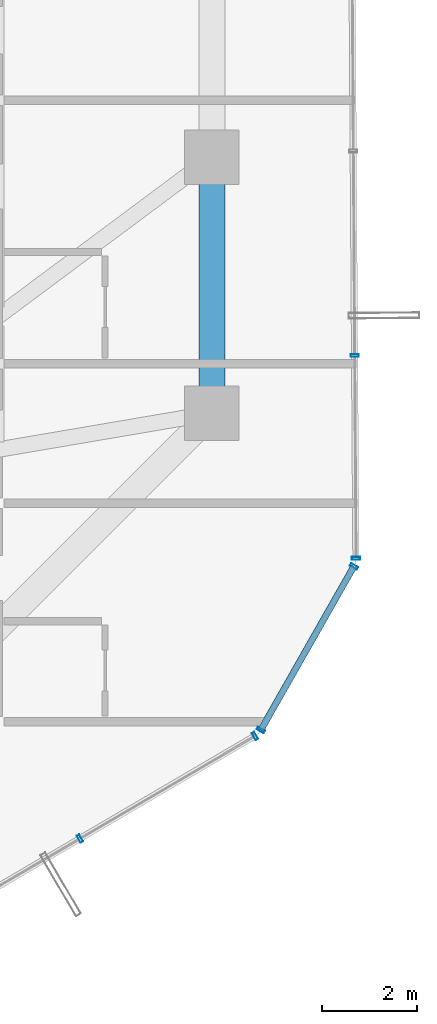
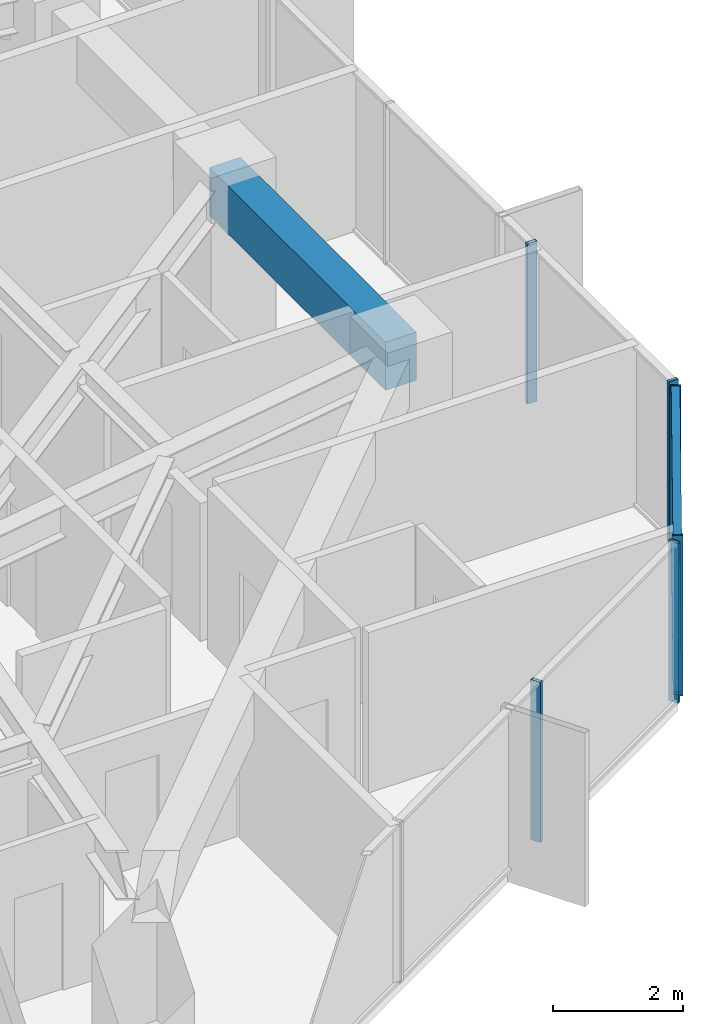
# One storey, part 13 of 30: 8 members, 1 beam, 3 elements without a shape of their own.
"""IFC4 building model written with IfcOpenShell, lengths in metres."""

from ifc_helpers import new_model, si_unit, direction, frame, origin, origin_2d, place, context, subcontext, project, spatial, rectangle, hollow_rectangle, extrude, source, transform, mapped, material, layer, layer_set, material_profile, profile_set, type_object, element, aggregate, save


model = new_model("IFC4")

# Units and contexts
model_context = context("Model", 3, precision=1e-05, world=origin(), true_north=direction((0.0, 1.0)))
body_context = subcontext(model_context, "Body", "Model", "MODEL_VIEW")
ifc_project = project(units=[si_unit("LENGTHUNIT", "METRE"), si_unit("AREAUNIT", "SQUARE_METRE"), si_unit("VOLUMEUNIT", "CUBIC_METRE"), si_unit("PLANEANGLEUNIT", "RADIAN"), si_unit("MASSUNIT", "GRAM", prefix="KILO")], contexts=[model_context])

# Site, building, storey
site_placement = place(None, origin())
site = spatial("IfcSite", under=ifc_project, at=site_placement, CompositionType="ELEMENT")
building_placement = place(site_placement, origin())
building = spatial("IfcBuilding", under=site, at=building_placement, Name="Veraguas Prism Commons", CompositionType="ELEMENT")
storey_placement = place(building_placement, frame((0.0, 0.0, 129.5)))
storey = spatial("IfcBuildingStorey", under=building, at=storey_placement, Name="L36", CompositionType="ELEMENT", Elevation=129.5)

# Beam
ifc_material_1 = material(Name="Concrete C50/60", Category="concrete")
ifc_material_profile_1 = material_profile(ifc_material_1, rectangle(XDim=0.550048828125, YDim=0.89990234375, at=origin_2d()), Name="RC550X900")
ifc_profile_set_1 = profile_set([ifc_material_profile_1], Name="Concrete C50/60")
beam_type = type_object("IfcBeamType", Name="Perimeter Spandrel Lower RC 550x900", PredefinedType="SPANDREL", material=ifc_profile_set_1)
beam_placement = place(storey_placement, frame((40.199951171875, 18.60009765625, 2.550048828125), z_axis=(0.0, 1.0, 0.0), x_axis=(-1.0, 0.0, 0.0)))
element("IfcBeam", 1, at=beam_placement, inside=storey, type_object=beam_type, Name="Perimeter Spandrel Beam L36-SP01", PredefinedType="SPANDREL", context=body_context, shape_type="SweptSolid", body=[
    extrude(rectangle(XDim=0.550048828125, YDim=0.89990234375, at=origin_2d()), origin(), (0.0, 0.0, 1.0), 5.39990234375),
])

# Curtain wall, members
ifc_material_2 = material(Name="Anodised aluminium EN AW-6063 T6", Category="aluminium")
ifc_layer = layer(ifc_material_2, 0.169921875, Name="Unitised Flush Curtain Wall Zone 2", Category="aluminium")
ifc_layer_set = layer_set([ifc_layer], Name="Anodised aluminium EN AW-6063 T6")
curtain_wall_type = type_object("IfcCurtainWallType", Name="Unitised Flush Curtain Wall Zone 2", PredefinedType="NOTDEFINED", material=ifc_layer_set)
curtain_wall_1_placement = place(storey_placement, origin())
curtain_wall_1 = element("IfcCurtainWall", 2, at=curtain_wall_1_placement, inside=storey, type_object=curtain_wall_type, Name="Tower Facade Curtain Wall L36-F5", PredefinedType="NOTDEFINED")
ifc_material_profile_2 = material_profile(ifc_material_2, hollow_rectangle(XDim=0.06005859375, YDim=0.169921875, WallThickness=0.00390625, at=origin_2d()), Name="AL60X170X4")
ifc_profile_set_2 = profile_set([ifc_material_profile_2], Name="Anodised aluminium EN AW-6063 T6")
member_type_1 = type_object("IfcMemberType", Name="Curtain Wall Mullion Lower AL 60x170x4", PredefinedType="MULLION", material=ifc_profile_set_2)
shared_shape_1 = source(origin(), body_context, "Body", "SweptSolid", [
    extrude(hollow_rectangle(XDim=0.06005859375, YDim=0.169921875, WallThickness=0.00390625, at=origin_2d()), origin(), (0.0, 0.0, 1.0), 3.0),
])
member_1_placement = place(storey_placement, frame((37.418212890625, 9.63037109375, 0.0), z_axis=(0.0, 0.0, 1.0), x_axis=(0.86268584238, 0.505740187604, 0.0)))
member_1 = element("IfcMember", 3, at=member_1_placement, type_object=member_type_1, Name="CW-Z2 Mullion 4", PredefinedType="MULLION", context=body_context, shape_type="MappedRepresentation", body=[
    mapped(shared_shape_1, transform((0.0, 0.0, 0.0), scale=1.0)),
])
member_2_placement = place(storey_placement, frame((41.109130859375, 11.79443359375, 0.0), z_axis=(0.0, 0.0, 1.0), x_axis=(0.86268584238, 0.505740187604, 0.0)))
member_2 = element("IfcMember", 4, at=member_2_placement, type_object=member_type_1, Name="CW-Z2 Mullion 5", PredefinedType="MULLION", context=body_context, shape_type="MappedRepresentation", body=[
    mapped(shared_shape_1, transform((0.0, 0.0, 0.0), scale=1.0)),
])
aggregate(curtain_wall_1, [member_1, member_2])

curtain_wall_2_placement = place(storey_placement, origin())
curtain_wall_2 = element("IfcCurtainWall", 5, at=curtain_wall_2_placement, inside=storey, type_object=curtain_wall_type, Name="Tower Facade Curtain Wall L36-F6", PredefinedType="NOTDEFINED")
member_3_placement = place(storey_placement, frame((43.239013671875, 15.540283203125, 0.0), z_axis=(0.0, 0.0, 1.0), x_axis=(-0.006632202536, 0.999978006703, 0.0)))
member_3 = element("IfcMember", 6, at=member_3_placement, type_object=member_type_1, Name="CW-Z2 Mullion 1", PredefinedType="MULLION", context=body_context, shape_type="MappedRepresentation", body=[
    mapped(shared_shape_1, transform((0.0, 0.0, 0.0), scale=1.0)),
])
member_4_placement = place(storey_placement, frame((43.210693359375, 19.818603515625, 0.0), z_axis=(0.0, 0.0, 1.0), x_axis=(-0.006632202536, 0.999978006703, 0.0)))
member_4 = element("IfcMember", 7, at=member_4_placement, type_object=member_type_1, Name="CW-Z2 Mullion 2", PredefinedType="MULLION", context=body_context, shape_type="MappedRepresentation", body=[
    mapped(shared_shape_1, transform((0.0, 0.0, 0.0), scale=1.0)),
])
aggregate(curtain_wall_2, [member_3, member_4])

curtain_wall_3_placement = place(storey_placement, origin())
curtain_wall_3 = element("IfcCurtainWall", 8, at=curtain_wall_3_placement, inside=storey, type_object=curtain_wall_type, Name="Chamfer Curtain Wall L36-C6", PredefinedType="NOTDEFINED")
member_5_placement = place(storey_placement, frame((41.2314453125, 11.91796875, 0.0), z_axis=(0.0, 0.0, 1.0), x_axis=(0.494243830218, 0.869323320918, 0.0)))
member_5 = element("IfcMember", 9, at=member_5_placement, type_object=member_type_1, Name="CW-Z2 Mullion 1", PredefinedType="MULLION", context=body_context, shape_type="MappedRepresentation", body=[
    mapped(shared_shape_1, transform((0.0, 0.0, 0.0), scale=1.0)),
])
member_6_placement = place(storey_placement, frame((43.195068359375, 15.371826171875, 0.0), z_axis=(0.0, 0.0, 1.0), x_axis=(0.494243830218, 0.869323320918, 0.0)))
member_6 = element("IfcMember", 10, at=member_6_placement, type_object=member_type_1, Name="CW-Z2 Mullion 2", PredefinedType="MULLION", context=body_context, shape_type="MappedRepresentation", body=[
    mapped(shared_shape_1, transform((0.0, 0.0, 0.0), scale=1.0)),
])
ifc_material_profile_3 = material_profile(ifc_material_2, hollow_rectangle(XDim=0.054931640625, YDim=0.135009765625, WallThickness=0.0029296875, at=origin_2d()), Name="AL55X135X3")
ifc_profile_set_3 = profile_set([ifc_material_profile_3], Name="Anodised aluminium EN AW-6063 T6")
member_type_2 = type_object("IfcMemberType", Name="Curtain Wall Transom Standard AL 55x135x3", PredefinedType="USERDEFINED", material=ifc_profile_set_3)
shared_shape_2 = source(origin(), body_context, "Body", "SweptSolid", [
    extrude(hollow_rectangle(XDim=0.054931640625, YDim=0.135009765625, WallThickness=0.0029296875, at=origin_2d()), origin(), (0.0, 0.0, 1.0), 3.97314453125),
])
member_7_placement = place(storey_placement, frame((41.2314453125, 11.91796875, 0.027587890625), z_axis=(0.494238488475, 0.869326357883, 0.0), x_axis=(0.0, 0.0, 1.0)))
member_7 = element("IfcMember", 11, at=member_7_placement, type_object=member_type_2, Name="CW-Z2 Transom 1", ObjectType="TRANSOM", PredefinedType="USERDEFINED", context=body_context, shape_type="MappedRepresentation", body=[
    mapped(shared_shape_2, transform((0.0, 0.0, 0.0), scale=1.0)),
])
member_8_placement = place(storey_placement, frame((41.2314453125, 11.91796875, 2.972412109375), z_axis=(0.494238488475, 0.869326357883, 0.0), x_axis=(0.0, 0.0, 1.0)))
member_8 = element("IfcMember", 12, at=member_8_placement, type_object=member_type_2, Name="CW-Z2 Transom 2", ObjectType="TRANSOM", PredefinedType="USERDEFINED", context=body_context, shape_type="MappedRepresentation", body=[
    mapped(shared_shape_2, transform((0.0, 0.0, 0.0), scale=1.0)),
])
aggregate(curtain_wall_3, [member_5, member_6, member_7, member_8])

save(model, "model.ifc")
